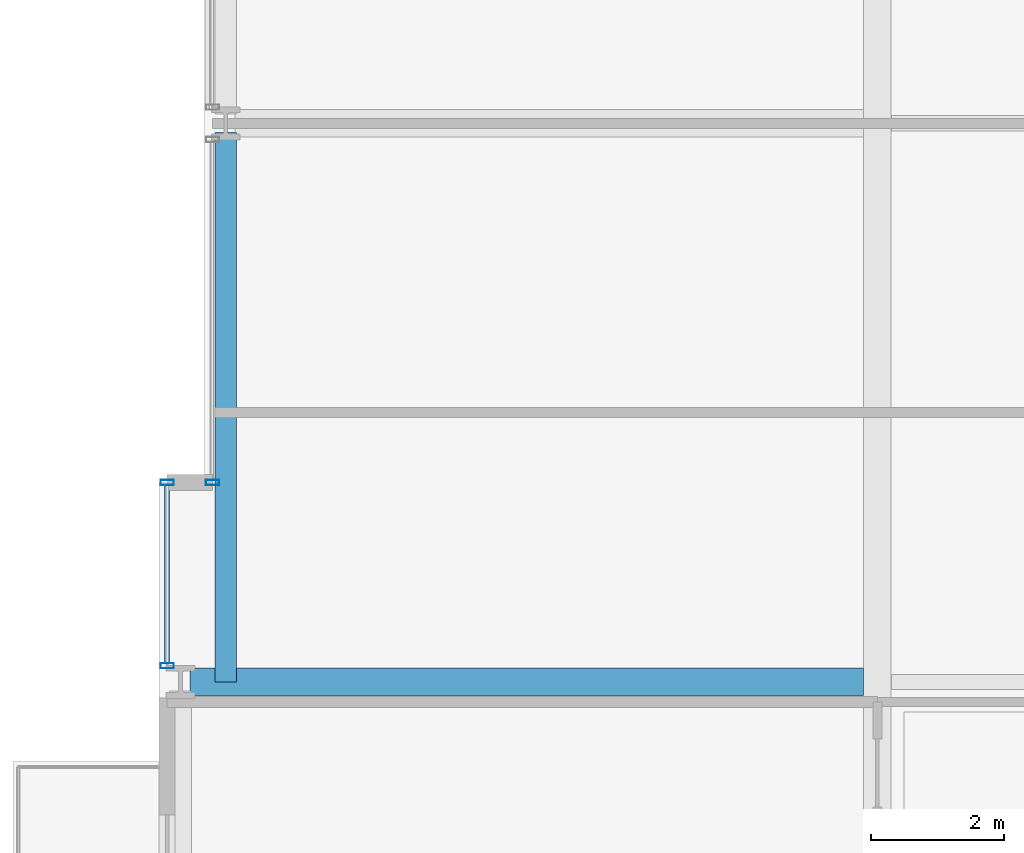
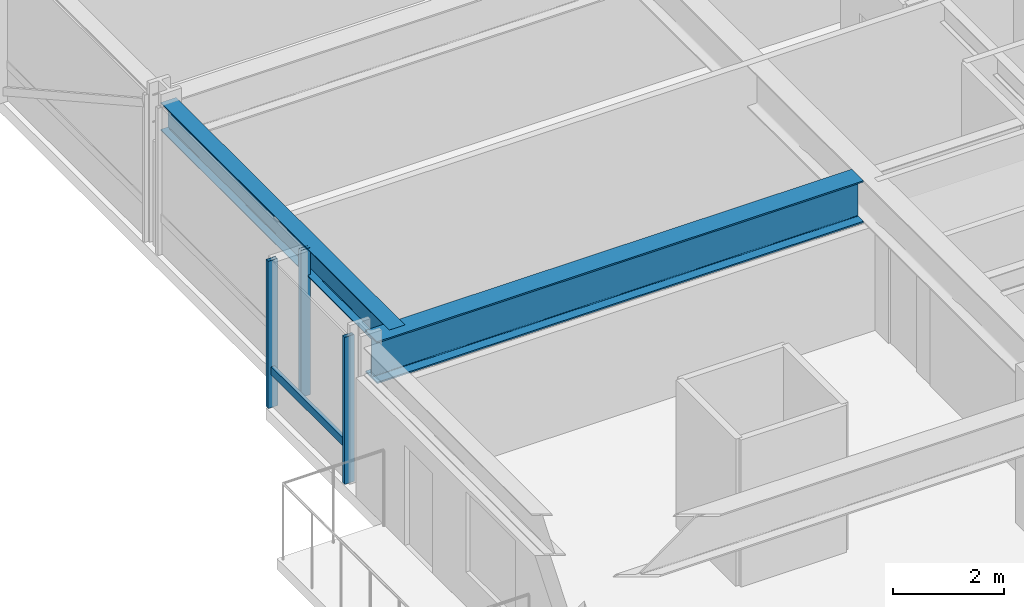
# One storey, part 7 of 39: 4 members, 2 beams, 2 elements without a shape of their own.
"""IFC4 building model written with IfcOpenShell, lengths in metres."""

import ifcopenshell
import ifcopenshell.guid

model = None  # the IFC model being written
_history = None  # IfcOwnerHistory: only IFC2X3 demands one
_inside = {}  # id of a spatial element -> (the spatial element, [elements in it])
_under = {}  # id of a project, library or spatial element -> (it, [spatial elements below it])
_declared = {}  # id of a project -> (the project, [libraries it declares])
_typed = {}  # id of a type object -> (the type object, [elements of that type])
_made_of = {}  # id of a material, layer set ... -> (it, [elements and type objects made of it])


def new_model(schema):
    """Start an empty IFC model of exactly this schema.

    Asked for "IFC4X3", IfcOpenShell would pick the latest addendum, in which some entities
    have other attributes; the version numbers below select the first issue.
    IFC2X3 requires an IfcOwnerHistory on every rooted entity: one is made here for all.
    """
    global model, _history
    if schema == "IFC4X3":
        model = ifcopenshell.file(schema_version=(4, 3, 0, 0))
    else:
        model = ifcopenshell.file(schema=schema)
    _inside.clear()
    _under.clear()
    _declared.clear()
    _typed.clear()
    _made_of.clear()
    _history = None
    if model.schema == "IFC2X3":
        org = make("IfcOrganization", Name="unknown")
        user = make(
            "IfcPersonAndOrganization",
            ThePerson=make("IfcPerson", FamilyName="unknown"),
            TheOrganization=org,
        )
        app = make(
            "IfcApplication",
            ApplicationDeveloper=org,
            Version="unknown",
            ApplicationFullName="unknown",
            ApplicationIdentifier="unknown",
        )
        _history = make(
            "IfcOwnerHistory",
            OwningUser=user,
            OwningApplication=app,
            ChangeAction="ADDED",
            CreationDate=0,
        )
    return model


def make(cls, **values):
    """One entity of the class cls with the attributes given. An attribute that is None is left unset."""
    return model.create_entity(
        cls, **{name: value for name, value in values.items() if value is not None}
    )


def rooted(cls, **values):
    """An entity with a GlobalId (a new one), such as an element, a storey or a relation."""
    return make(cls, GlobalId=ifcopenshell.guid.new(), OwnerHistory=_history, **values)


def si_unit(unit_type, name, prefix=None):
    """IfcSIUnit, for example si_unit("LENGTHUNIT", "METRE", prefix="MILLI")."""
    return make("IfcSIUnit", UnitType=unit_type, Prefix=prefix, Name=name)


def assignment(units):
    """IfcUnitAssignment: the units of a project."""
    return None if units is None else make("IfcUnitAssignment", Units=units)


def point(xyz):
    """IfcCartesianPoint."""
    return None if xyz is None else make("IfcCartesianPoint", Coordinates=xyz)


def direction(xyz):
    """IfcDirection."""
    return None if xyz is None else make("IfcDirection", DirectionRatios=xyz)


def frame(location, z_axis=None, x_axis=None):
    """IfcAxis2Placement3D, a coordinate frame: its origin and axes. An axis left out is left unset."""
    return make(
        "IfcAxis2Placement3D",
        Location=point(location),
        Axis=direction(z_axis),
        RefDirection=direction(x_axis),
    )


def frame_2d(location, x_axis=None):
    """IfcAxis2Placement2D, a coordinate frame in the plane: its origin and x axis."""
    return make(
        "IfcAxis2Placement2D", Location=point(location), RefDirection=direction(x_axis)
    )


def origin():
    """The frame at (0, 0, 0) with its axes left unset."""
    return frame((0.0, 0.0, 0.0))


def origin_2d():
    """The frame at (0, 0) in the plane with its x axis left unset."""
    return frame_2d((0.0, 0.0))


def place(relative_to, where):
    """IfcLocalPlacement: puts the frame where relative to a parent placement (None: the world)."""
    return make(
        "IfcLocalPlacement", PlacementRelTo=relative_to, RelativePlacement=where
    )


def context(
    kind, dimensions, precision=None, world=None, true_north=None, identifier=None
):
    """IfcGeometricRepresentationContext, for example the 3D "Model" context."""
    return make(
        "IfcGeometricRepresentationContext",
        ContextIdentifier=identifier,
        ContextType=kind,
        CoordinateSpaceDimension=dimensions,
        Precision=precision,
        WorldCoordinateSystem=world,
        TrueNorth=true_north,
    )


def subcontext(parent, identifier, kind, view, scale=None):
    """IfcGeometricRepresentationSubContext, for example "Body" below "Model"."""
    return make(
        "IfcGeometricRepresentationSubContext",
        ContextIdentifier=identifier,
        ContextType=kind,
        ParentContext=parent,
        TargetScale=scale,
        TargetView=view,
    )


def project(units=None, contexts=None):
    """IfcProject with its units and contexts."""
    return rooted(
        "IfcProject",
        Name="project",
        RepresentationContexts=contexts,
        UnitsInContext=assignment(units),
    )


def spatial(cls, under=None, at=None, **own):
    """A site, building, storey or space (cls), placed at a placement, below another one or the project."""
    s = rooted(cls, ObjectPlacement=at, **own)
    if under is not None:
        _under.setdefault(under.id(), (under, []))[1].append(s)
    return s


def profile(cls, at=None, kind="AREA", **sizes):
    """A parametric profile (cls). Its sizes go by their IFC names, for example OverallWidth=200.0."""
    return make(cls, ProfileType=kind, Position=at, **sizes)


def hollow_rectangle(**sizes):
    """IfcRectangleHollowProfileDef."""
    return profile("IfcRectangleHollowProfileDef", **sizes)


def i_section(**sizes):
    """IfcIShapeProfileDef."""
    return profile("IfcIShapeProfileDef", **sizes)


def extrude(swept, where, along, depth):
    """IfcExtrudedAreaSolid: the profile swept, set in the frame where, extruded along a direction by depth."""
    return make(
        "IfcExtrudedAreaSolid",
        SweptArea=swept,
        Position=where,
        ExtrudedDirection=direction(along),
        Depth=depth,
    )


def shape(context_of_items, identifier, shape_type, items):
    """IfcShapeRepresentation: the items that make up one representation, for example the "Body"."""
    return make(
        "IfcShapeRepresentation",
        ContextOfItems=context_of_items,
        RepresentationIdentifier=identifier,
        RepresentationType=shape_type,
        Items=items,
    )


def material(Name=None, Category=None):
    """IfcMaterial."""
    return make("IfcMaterial", Name=Name, Category=Category)


def layer(
    of_material, thickness, ventilated=None, Name=None, Category=None, Priority=None
):
    """IfcMaterialLayer: one layer of a wall or slab, of a material (None: an air gap)."""
    return make(
        "IfcMaterialLayer",
        Material=of_material,
        LayerThickness=thickness,
        IsVentilated=ventilated,
        Name=Name,
        Category=Category,
        Priority=Priority,
    )


def layer_set(layers, Name=None):
    """IfcMaterialLayerSet."""
    return make("IfcMaterialLayerSet", MaterialLayers=layers, LayerSetName=Name)


def material_profile(
    of_material, cross_section, Name=None, Category=None, Priority=None
):
    """IfcMaterialProfile: a cross section and its material."""
    return make(
        "IfcMaterialProfile",
        Name=Name,
        Material=of_material,
        Profile=cross_section,
        Priority=Priority,
        Category=Category,
    )


def profile_set(profiles, Name=None, composite=None):
    """IfcMaterialProfileSet."""
    return make(
        "IfcMaterialProfileSet",
        Name=Name,
        MaterialProfiles=profiles,
        CompositeProfile=composite,
    )


def made_of(thing, what):
    """Note that an element or type object is made of a material, layer set ...; save() writes the relation."""
    if what is not None:
        _made_of.setdefault(what.id(), (what, []))[1].append(thing)
    return thing


def type_object(cls, material=None, **own):
    """A type object (cls), such as IfcWallType, which elements share."""
    return made_of(rooted(cls, **own), material)


def element(
    cls,
    number,
    at=None,
    inside=None,
    cuts=None,
    type_object=None,
    material=None,
    context=None,
    identifier="Body",
    shape_type=None,
    held_by="IfcProductDefinitionShape",
    body=None,
    shapes=None,
    **own,
):
    """One element of the class cls, such as IfcWall. Its Tag is "e" and its number.

    at: its placement. inside: the storey or other place that contains it. cuts: it is an
    opening in that element (IfcRelVoidsElement). A single representation is given by context,
    identifier, shape_type and body (its items); several are given by shapes. held_by: the class
    of the entity that holds the representations. save() writes the other relations.
    """
    e = rooted(cls, Tag="e%d" % number, ObjectPlacement=at, **own)
    if body is not None:
        shapes = [shape(context, identifier, shape_type, body)]
    if shapes is not None:
        e.Representation = make(held_by, Representations=shapes)
    if inside is not None:
        _inside.setdefault(inside.id(), (inside, []))[1].append(e)
    if cuts is not None:
        rooted(
            "IfcRelVoidsElement", RelatingBuildingElement=cuts, RelatedOpeningElement=e
        )
    if type_object is not None:
        _typed.setdefault(type_object.id(), (type_object, []))[1].append(e)
    return made_of(e, material)


def aggregate(whole, parts):
    """IfcRelAggregates: a whole, such as a stair, and the parts it consists of."""
    return rooted("IfcRelAggregates", RelatingObject=whole, RelatedObjects=parts)


def save(model, path):
    """Write the relations noted so far, then the file.

    IfcRelAggregates (storeys below a building ...), IfcRelContainedInSpatialStructure (elements
    in a storey), IfcRelDefinesByType, IfcRelAssociatesMaterial and IfcRelDeclares: one each for
    every whole, place, type object, material and project.
    """
    for whole, parts in _under.values():
        aggregate(whole, parts)
    for where, things in _inside.values():
        rooted(
            "IfcRelContainedInSpatialStructure",
            RelatedElements=things,
            RelatingStructure=where,
        )
    for kind, things in _typed.values():
        rooted("IfcRelDefinesByType", RelatedObjects=things, RelatingType=kind)
    for what, things in _made_of.values():
        rooted("IfcRelAssociatesMaterial", RelatedObjects=things, RelatingMaterial=what)
    for by, libraries in _declared.values():
        rooted("IfcRelDeclares", RelatingContext=by, RelatedDefinitions=libraries)
    model.write(path)


model = new_model("IFC4")

# Units and contexts
model_context = context("Model", 3, precision=1e-05, world=origin(), true_north=direction((0.0, 1.0)))
body_context = subcontext(model_context, "Body", "Model", "MODEL_VIEW")
ifc_project = project(units=[si_unit("LENGTHUNIT", "METRE"), si_unit("AREAUNIT", "SQUARE_METRE"), si_unit("VOLUMEUNIT", "CUBIC_METRE"), si_unit("PLANEANGLEUNIT", "RADIAN"), si_unit("MASSUNIT", "GRAM", prefix="KILO")], contexts=[model_context])

# Site, building, storey
site_placement = place(None, origin())
site = spatial("IfcSite", under=ifc_project, at=site_placement, CompositionType="ELEMENT")
building_placement = place(site_placement, origin())
building = spatial("IfcBuilding", under=site, at=building_placement, Name="Drelvath Grand Hotel", CompositionType="ELEMENT")
storey_placement = place(building_placement, frame((0.0, 0.0, 36.699951171875)))
storey = spatial("IfcBuildingStorey", under=building, at=storey_placement, Name="L07", CompositionType="ELEMENT", Elevation=36.699951171875)

# Curtain wall, members
ifc_material_1 = material(Name="Warm Bronze Anodised Aluminium Frame", Category="aluminium")
ifc_layer = layer(ifc_material_1, 0.199951171875)
ifc_layer_set = layer_set([ifc_layer], Name="Warm Bronze Anodised Aluminium Frame")
curtain_wall_type = type_object("IfcCurtainWallType", Name="Stick Curtain Wall CW-02 Warm Bronze Low-Rise", PredefinedType="NOTDEFINED", material=ifc_layer_set)
curtain_wall_1_placement = place(storey_placement, origin())
curtain_wall_1 = element("IfcCurtainWall", 1, at=curtain_wall_1_placement, inside=storey, type_object=curtain_wall_type, Name="L07 CW-02 Curtain Wall CW02-L07-WS3", PredefinedType="NOTDEFINED")
ifc_material_profile_1 = material_profile(ifc_material_1, hollow_rectangle(XDim=0.074951171875, YDim=0.179931640625, WallThickness=0.0048828125, at=origin_2d()), Name="HSS180X75X5")
ifc_profile_set_1 = profile_set([ifc_material_profile_1], Name="Warm Bronze Anodised Aluminium Frame")
member_type_1 = type_object("IfcMemberType", Name="Curtain Wall Horizontal Transom CW-02 HSS180X75X5", PredefinedType="USERDEFINED", material=ifc_profile_set_1)
member_1_placement = place(storey_placement, frame((-26.8798828125, 18.880859375, 0.81005859375), z_axis=(0.0, 1.0, 0.0), x_axis=(-1.0, 0.0, 0.0)))
member_1 = element("IfcMember", 2, at=member_1_placement, type_object=member_type_1, Name="CW02-L07-WS3 Sill Transom", ObjectType="TRANSOM", PredefinedType="USERDEFINED", context=body_context, shape_type="SweptSolid", body=[
    extrude(hollow_rectangle(XDim=0.074951171875, YDim=0.179931640625, WallThickness=0.0048828125, at=origin_2d()), origin(), (0.0, 0.0, 1.0), 2.67919921875),
])
ifc_material_profile_2 = material_profile(ifc_material_1, hollow_rectangle(XDim=0.080078125, YDim=0.199951171875, WallThickness=0.0048828125, at=origin_2d()), Name="HSS200X80X5")
ifc_profile_set_2 = profile_set([ifc_material_profile_2], Name="Warm Bronze Anodised Aluminium Frame")
member_type_2 = type_object("IfcMemberType", Name="Curtain Wall Vertical Mullion CW-02 HSS200X80X5", PredefinedType="MULLION", material=ifc_profile_set_2)
member_2_placement = place(storey_placement, frame((-26.8798828125, 18.8408203125, 0.0), z_axis=(0.0, 0.0, 1.0), x_axis=(0.0, 1.0, 0.0)))
member_2 = element("IfcMember", 3, at=member_2_placement, type_object=member_type_2, Name="CW02-L07-WS3 Mullion 1", PredefinedType="MULLION", context=body_context, shape_type="SweptSolid", body=[
    extrude(hollow_rectangle(XDim=0.080078125, YDim=0.199951171875, WallThickness=0.0048828125, at=origin_2d()), origin(), (0.0, 0.0, 1.0), 3.239990234375),
])
member_3_placement = place(storey_placement, frame((-26.8798828125, 21.60009765625, 0.0), z_axis=(0.0, 0.0, 1.0), x_axis=(0.0, 1.0, 0.0)))
member_3 = element("IfcMember", 4, at=member_3_placement, type_object=member_type_2, Name="CW02-L07-WS3 Mullion 2", PredefinedType="MULLION", context=body_context, shape_type="SweptSolid", body=[
    extrude(hollow_rectangle(XDim=0.080078125, YDim=0.199951171875, WallThickness=0.0048828125, at=origin_2d()), origin(), (0.0, 0.0, 1.0), 3.239990234375),
])
aggregate(curtain_wall_1, [member_2, member_3, member_1])

# Curtain wall, member
curtain_wall_2_placement = place(storey_placement, origin())
curtain_wall_2 = element("IfcCurtainWall", 5, at=curtain_wall_2_placement, inside=storey, type_object=curtain_wall_type, Name="L07 CW-02 Curtain Wall CW02-L07-WM1", PredefinedType="NOTDEFINED")
member_4_placement = place(storey_placement, frame((-26.199951171875, 21.60009765625, 0.0), z_axis=(0.0, 0.0, 1.0), x_axis=(0.0, 1.0, 0.0)))
member_4 = element("IfcMember", 6, at=member_4_placement, type_object=member_type_2, Name="CW02-L07-WM1 Mullion 1", PredefinedType="MULLION", context=body_context, shape_type="SweptSolid", body=[
    extrude(hollow_rectangle(XDim=0.080078125, YDim=0.199951171875, WallThickness=0.0048828125, at=origin_2d()), origin(), (0.0, 0.0, 1.0), 3.239990234375),
])
aggregate(curtain_wall_2, [member_4])

# Beams
ifc_material_2 = material(Name="Steel ASTM A992 Gr 50", Category="steel")
ifc_material_profile_3 = material_profile(ifc_material_2, i_section(OverallWidth=0.323974609375, OverallDepth=0.611083984375, WebThickness=0.0126953125, FlangeThickness=0.01904296875, FilletRadius=0.02197265625, at=origin_2d()), Name="W24X104")
ifc_profile_set_3 = profile_set([ifc_material_profile_3], Name="Steel ASTM A992 Gr 50")
beam_type_1 = type_object("IfcBeamType", Name="Perimeter Spandrel Beam W24X104", PredefinedType="SPANDREL", material=ifc_profile_set_3)
beam_1_placement = place(storey_placement, frame((-26.0, 18.60009765625, 2.9345703125), z_axis=(0.0, 1.0, 0.0), x_axis=(-1.0, 0.0, 0.0)))
element("IfcBeam", 7, at=beam_1_placement, inside=storey, type_object=beam_type_1, Name="L07 Spandrel West Mid S", PredefinedType="SPANDREL", context=body_context, shape_type="SweptSolid", body=[
    extrude(i_section(OverallWidth=0.323974609375, OverallDepth=0.611083984375, WebThickness=0.0126953125, FlangeThickness=0.01904296875, FilletRadius=0.02197265625, at=origin_2d()), origin(), (0.0, 0.0, 1.0), 8.260009765625),
])
ifc_material_profile_4 = material_profile(ifc_material_2, i_section(OverallWidth=0.418212890625, OverallDepth=0.926513671875, WebThickness=0.019287109375, FlangeThickness=0.031982421875, FilletRadius=0.028076171875, at=origin_2d()), Name="W36X231")
ifc_profile_set_4 = profile_set([ifc_material_profile_4], Name="Steel ASTM A992 Gr 50")
beam_type_2 = type_object("IfcBeamType", Name="Primary Floor Girder W36X231", PredefinedType="BEAM", material=ifc_profile_set_4)
beam_2_placement = place(storey_placement, frame((-26.5400390625, 18.60009765625, 2.77685546875), z_axis=(1.0, 0.0, 0.0), x_axis=(0.0, 1.0, 0.0)))
element("IfcBeam", 8, at=beam_2_placement, inside=storey, type_object=beam_type_2, Name="L07 West Wing Girder D", PredefinedType="BEAM", context=body_context, shape_type="SweptSolid", body=[
    extrude(i_section(OverallWidth=0.418212890625, OverallDepth=0.926513671875, WebThickness=0.019287109375, FlangeThickness=0.031982421875, FilletRadius=0.028076171875, at=origin_2d()), origin(), (0.0, 0.0, 1.0), 10.130859375),
])

save(model, "model.ifc")
